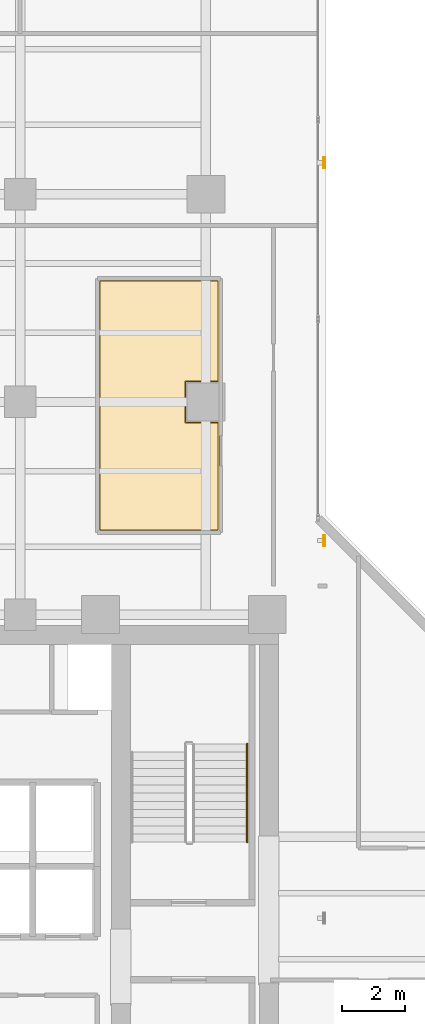
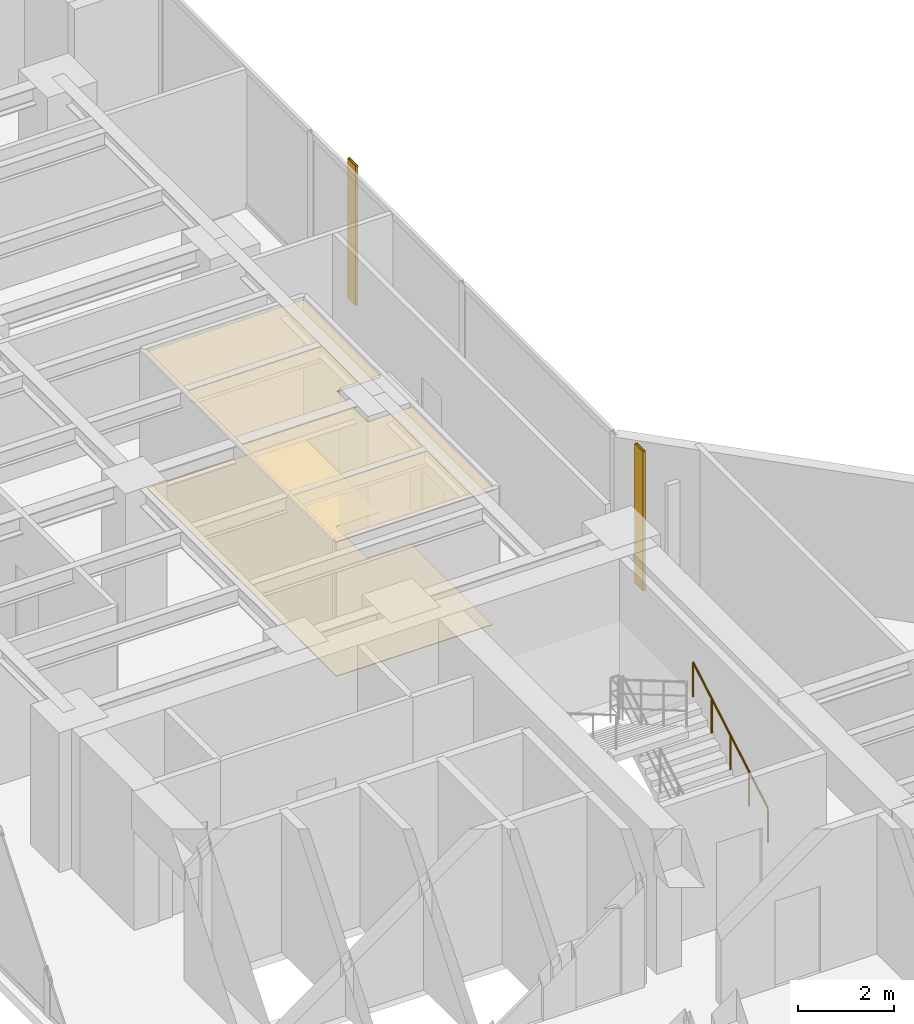
# One storey, part 24 of 24: 2 coverings, 2 shading devices, 1 railing.
"""IFC4 building model written with IfcOpenShell, lengths in metres."""

from ifc_helpers import new_model, si_unit, direction, frame, origin, origin_2d, place, context, subcontext, project, spatial, polyline, hollow_rectangle, circle, outline, extrude, material, layer, layer_set, material_profile, profile_set, type_object, element, save


model = new_model("IFC4")

# Units and contexts
model_context = context("Model", 3, precision=1e-05, world=origin(), true_north=direction((0.0, 1.0)))
body_context = subcontext(model_context, "Body", "Model", "MODEL_VIEW")
ifc_project = project(units=[si_unit("LENGTHUNIT", "METRE"), si_unit("AREAUNIT", "SQUARE_METRE"), si_unit("VOLUMEUNIT", "CUBIC_METRE"), si_unit("PLANEANGLEUNIT", "RADIAN"), si_unit("MASSUNIT", "GRAM", prefix="KILO")], contexts=[model_context])

# Site, building, storey
site_placement = place(None, origin())
site = spatial("IfcSite", under=ifc_project, at=site_placement, CompositionType="ELEMENT")
building_placement = place(site_placement, origin())
building = spatial("IfcBuilding", under=site, at=building_placement, Name="Kolvaren Waterfront Exchange", CompositionType="ELEMENT")
storey_placement = place(building_placement, frame((0.0, 0.0, 184.199951171875)))
storey = spatial("IfcBuildingStorey", under=building, at=storey_placement, Name="L47", CompositionType="ELEMENT", Elevation=184.199951171875)

# Covering
ifc_material_1 = material(Name="Mineral fibre acoustic ceiling tile")
ifc_layer_1 = layer(ifc_material_1, 0.02490234375, Name="Mineral fibre acoustic ceiling tile")
ifc_layer_set_1 = layer_set([ifc_layer_1], Name="Mineral fibre acoustic ceiling tile")
covering_type_1 = type_object("IfcCoveringType", Name="ARC-CEIL-ACOUSTIC-25", PredefinedType="CEILING", material=ifc_layer_set_1)
covering_1_placement = place(storey_placement, frame((0.0, 0.0, 3.445068359375)))
element("IfcCovering", 1, at=covering_1_placement, inside=storey, type_object=covering_type_1, Name="L47 acoustic suspended ceiling 1", PredefinedType="CEILING", context=body_context, shape_type="SweptSolid", body=[
    extrude(outline(polyline([(19.22509765625, 30.56005859375), (18.159912109375, 30.56005859375), (18.159912109375, 31.840087890625), (19.22509765625, 31.840087890625), (19.22509765625, 35.074951171875), (15.39501953125, 35.074951171875), (15.39501953125, 27.094970703125), (19.22509765625, 27.094970703125), (19.22509765625, 30.56005859375)])), origin(), (0.0, 0.0, 1.0), 0.02490234375),
])

# Shading devices
ifc_material_2 = material(Name="Anodised bronze aluminium 6063-T6", Category="aluminium")
ifc_material_profile = material_profile(ifc_material_2, hollow_rectangle(XDim=0.06005859375, YDim=0.35009765625, WallThickness=0.0048828125, at=origin_2d()), Name="BRZ-FIN-350x60x5")
ifc_profile_set = profile_set([ifc_material_profile], Name="Anodised bronze aluminium 6063-T6")
shading_device_type = type_object("IfcShadingDeviceType", Name="ARC-FIN-350", PredefinedType="USERDEFINED", material=ifc_profile_set)
for number, where, z_axis, x_axis, name in (
    (2, (22.56005859375, 26.800048828125, 0.0), (0.0, 0.0, 1.0), (1.0, 0.0, 0.0), "L47 anodised bronze solar shading fin FIN-L47-E2"),
    (3, (22.56005859375, 38.800048828125, 0.0), (0.0, 0.0, 1.0), (1.0, 0.0, 0.0), "L47 anodised bronze solar shading fin FIN-L47-E3"),
):
    element("IfcShadingDevice", number, at=place(storey_placement, frame(where, z_axis=z_axis, x_axis=x_axis)), inside=storey, type_object=shading_device_type, Name=name, ObjectType="SOLAR FIN", PredefinedType="USERDEFINED", context=body_context, shape_type="SweptSolid", body=[
        extrude(hollow_rectangle(XDim=0.06005859375, YDim=0.35009765625, WallThickness=0.0048828125, at=origin_2d()), origin(), (0.0, 0.0, 1.0), 3.56005859375),
    ])

# Covering
ifc_material_3 = material(Name="Slip-resistant porcelain tile")
ifc_layer_2 = layer(ifc_material_3, 0.014892578125, Name="Slip-resistant porcelain tile")
ifc_layer_set_2 = layer_set([ifc_layer_2], Name="Slip-resistant porcelain tile")
covering_type_2 = type_object("IfcCoveringType", Name="ARC-FLR-PORC-15", PredefinedType="FLOORING", material=ifc_layer_set_2)
covering_2_placement = place(storey_placement, origin())
element("IfcCovering", 4, at=covering_2_placement, inside=storey, type_object=covering_type_2, Name="L47 floor finish 1", PredefinedType="FLOORING", context=body_context, shape_type="SweptSolid", body=[
    extrude(outline(polyline([(15.429931640625, 35.0400390625), (15.429931640625, 27.1298828125), (19.18994140625, 27.1298828125), (19.18994140625, 30.5400390625), (18.139892578125, 30.5400390625), (18.139892578125, 31.860107421875), (19.18994140625, 31.860107421875), (19.18994140625, 35.0400390625), (15.429931640625, 35.0400390625)])), origin(), (0.0, 0.0, 1.0), 0.01513671875),
])

# Railing
ifc_material_4 = material(Name="Stainless steel 316", Category="steel")
railing_type = type_object("IfcRailingType", Name="ARC-HANDRAIL-900", PredefinedType="HANDRAIL", material=ifc_material_4)
railing_placement = place(storey_placement, frame((20.110107421875, 17.219970703125, 0.152099609375)))
element("IfcRailing", 5, at=railing_placement, inside=storey, type_object=railing_type, Name="L47 ST2 stair handrail 1", PredefinedType="HANDRAIL", context=body_context, shape_type="SweptSolid", body=[
    extrude(circle(Radius=0.02392578125, at=origin_2d()), frame((0.0, 0.0, 0.8759765625), z_axis=(0.0, 0.86330811405, 0.504677223793), x_axis=(-1.0, 0.0, 0.0)), (0.0, 0.0, 1.0), 3.6142578125),
    extrude(circle(Radius=0.02099609375, at=origin_2d()), origin(), (0.0, 0.0, 1.0), 0.851806640625),
    extrude(circle(Radius=0.02099609375, at=origin_2d()), frame((0.0, 0.780029296875, 0.4560546875)), (0.0, 0.0, 1.0), 0.851806640625),
    extrude(circle(Radius=0.02099609375, at=origin_2d()), frame((0.0, 1.56005859375, 0.912109375)), (0.0, 0.0, 1.0), 0.851806640625),
    extrude(circle(Radius=0.02099609375, at=origin_2d()), frame((0.0, 2.340087890625, 1.367919921875)), (0.0, 0.0, 1.0), 0.851806640625),
    extrude(circle(Radius=0.02099609375, at=origin_2d()), frame((0.0, 3.1201171875, 1.823974609375)), (0.0, 0.0, 1.0), 0.851806640625),
])

save(model, "model.ifc")
